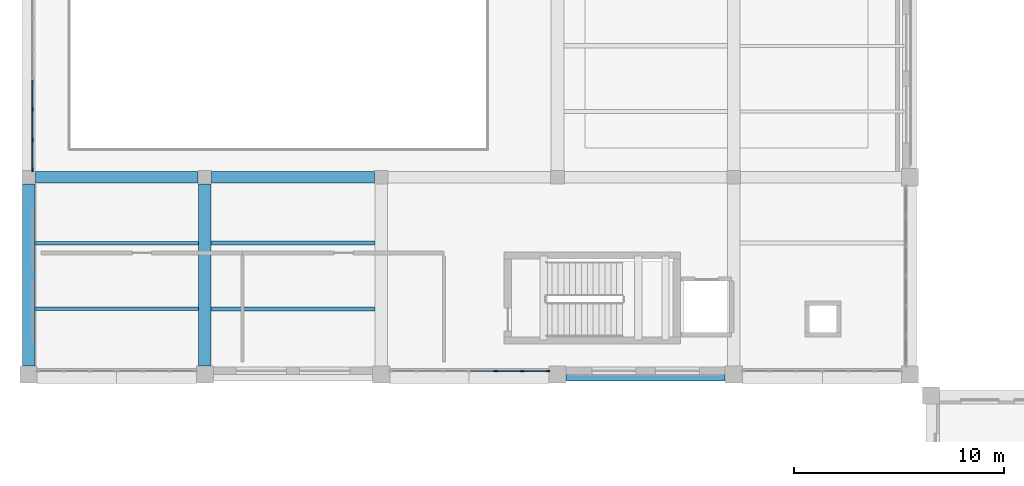
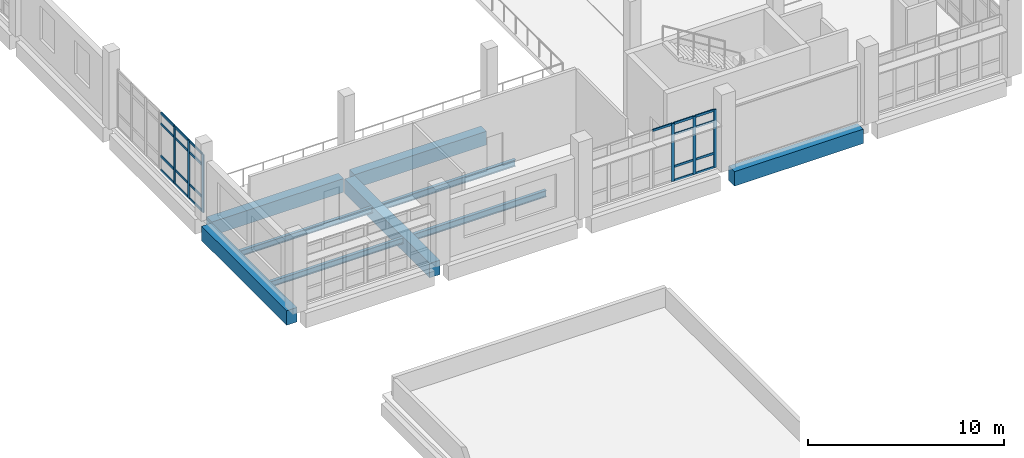
# One storey, part 15 of 73: 27 members, 9 beams, 2 elements without a shape of their own.
"""IFC4 building model written with IfcOpenShell, lengths in metres."""

from ifc_helpers import new_model, si_unit, direction, frame, origin, origin_2d, place, context, subcontext, project, spatial, rectangle, i_section, extrude, material, layer, layer_set, material_profile, profile_set, type_object, element, aggregate, save


model = new_model("IFC4")

# Units and contexts
model_context = context("Model", 3, precision=1e-05, world=origin(), true_north=direction((0.0, 1.0)))
body_context = subcontext(model_context, "Body", "Model", "MODEL_VIEW")
ifc_project = project(units=[si_unit("LENGTHUNIT", "METRE"), si_unit("AREAUNIT", "SQUARE_METRE"), si_unit("VOLUMEUNIT", "CUBIC_METRE"), si_unit("PLANEANGLEUNIT", "RADIAN"), si_unit("MASSUNIT", "GRAM", prefix="KILO")], contexts=[model_context])

# Site, building, storey
site_placement = place(None, origin())
site = spatial("IfcSite", under=ifc_project, at=site_placement, CompositionType="ELEMENT")
building_placement = place(site_placement, origin())
building = spatial("IfcBuilding", under=site, at=building_placement, Name="Kelarvand Opera House", CompositionType="ELEMENT")
storey_placement = place(building_placement, frame((0.0, 0.0, 10.199951171875)))
storey = spatial("IfcBuildingStorey", under=building, at=storey_placement, Name="L02", CompositionType="ELEMENT", Elevation=10.199951171875)

# Curtain wall, members
ifc_material_1 = material(Name="Thermally broken aluminium and low-E glazing", Category="aluminium")
ifc_layer_1 = layer(ifc_material_1, 0.179931640625, Name="Thermally broken aluminium and low-E glazing", Category="aluminium")
ifc_layer_set_1 = layer_set([ifc_layer_1], Name="Thermally broken aluminium and low-E glazing")
curtain_wall_type_1 = type_object("IfcCurtainWallType", Name="Unitised Low-E Curtain Wall 4326x3600 Mod 1350 CWF-15", PredefinedType="USERDEFINED", material=ifc_layer_set_1)
curtain_wall_1_placement = place(storey_placement, origin())
curtain_wall_1 = element("IfcCurtainWall", 1, at=curtain_wall_1_placement, inside=storey, type_object=curtain_wall_type_1, Name="V3 L02 Curtain Wall CWF-15 (77)", ObjectType="UNITISED CURTAIN WALL", PredefinedType="USERDEFINED")
ifc_material_2 = material(Name="Thermally broken anodised aluminium", Category="aluminium")
ifc_material_profile_1 = material_profile(ifc_material_2, rectangle(XDim=0.06494140625, YDim=0.179931640625, at=origin_2d()), Name="ALU MULLION 65x180", Category="aluminium")
ifc_profile_set_1 = profile_set([ifc_material_profile_1], Name="Thermally broken anodised aluminium")
member_type_1 = type_object("IfcMemberType", Name="Curtain Wall Mullion 65x180 Aluminium", PredefinedType="MULLION", material=ifc_profile_set_1)
member_1_placement = place(storey_placement, frame((9.179931640625, 96.967529296875, 0.0), z_axis=(0.0, 0.0, 1.0), x_axis=(-1.0, 0.0, 0.0)))
member_1 = element("IfcMember", 2, at=member_1_placement, type_object=member_type_1, Name="CWF-15 mullion 1", PredefinedType="MULLION", context=body_context, shape_type="SweptSolid", body=[
    extrude(rectangle(XDim=0.06494140625, YDim=0.179931640625, at=origin_2d()), origin(), (0.0, 0.0, 1.0), 3.60009765625),
])
member_2_placement = place(storey_placement, frame((9.179931640625, 98.388671875, 0.0), z_axis=(0.0, 0.0, 1.0), x_axis=(-1.0, 0.0, 0.0)))
member_2 = element("IfcMember", 3, at=member_2_placement, type_object=member_type_1, Name="CWF-15 mullion 2", PredefinedType="MULLION", context=body_context, shape_type="SweptSolid", body=[
    extrude(rectangle(XDim=0.06494140625, YDim=0.179931640625, at=origin_2d()), origin(), (0.0, 0.0, 1.0), 3.60009765625),
])
member_3_placement = place(storey_placement, frame((9.179931640625, 99.84228515625, 0.0), z_axis=(0.0, 0.0, 1.0), x_axis=(-1.0, 0.0, 0.0)))
member_3 = element("IfcMember", 4, at=member_3_placement, type_object=member_type_1, Name="CWF-15 mullion 3", PredefinedType="MULLION", context=body_context, shape_type="SweptSolid", body=[
    extrude(rectangle(XDim=0.06494140625, YDim=0.179931640625, at=origin_2d()), origin(), (0.0, 0.0, 1.0), 3.60009765625),
])

ifc_layer_2 = layer(ifc_material_1, 0.179931640625, Name="Thermally broken aluminium and low-E glazing", Category="aluminium")
ifc_layer_set_2 = layer_set([ifc_layer_2], Name="Thermally broken aluminium and low-E glazing")
curtain_wall_type_2 = type_object("IfcCurtainWallType", Name="Unitised Low-E Curtain Wall 3818x3600 Mod 1350 CWF-18", PredefinedType="USERDEFINED", material=ifc_layer_set_2)
curtain_wall_2_placement = place(storey_placement, origin())
curtain_wall_2 = element("IfcCurtainWall", 5, at=curtain_wall_2_placement, inside=storey, type_object=curtain_wall_type_2, Name="V3 L02 Curtain Wall CWF-18 (83)", ObjectType="UNITISED CURTAIN WALL", PredefinedType="USERDEFINED")
member_4_placement = place(storey_placement, frame((33.74755859375, 87.3798828125, 0.0), z_axis=(0.0, 0.0, 1.0), x_axis=(0.0, -1.0, 0.0)))
member_4 = element("IfcMember", 6, at=member_4_placement, type_object=member_type_1, Name="CWF-18 mullion 1", PredefinedType="MULLION", context=body_context, shape_type="SweptSolid", body=[
    extrude(rectangle(XDim=0.06494140625, YDim=0.179931640625, at=origin_2d()), origin(), (0.0, 0.0, 1.0), 3.60009765625),
])
member_5_placement = place(storey_placement, frame((32.521240234375, 87.3798828125, 0.0), z_axis=(0.0, 0.0, 1.0), x_axis=(0.0, -1.0, 0.0)))
member_5 = element("IfcMember", 7, at=member_5_placement, type_object=member_type_1, Name="CWF-18 mullion 2", PredefinedType="MULLION", context=body_context, shape_type="SweptSolid", body=[
    extrude(rectangle(XDim=0.06494140625, YDim=0.179931640625, at=origin_2d()), origin(), (0.0, 0.0, 1.0), 3.60009765625),
])
member_6_placement = place(storey_placement, frame((31.2626953125, 87.3798828125, 0.0), z_axis=(0.0, 0.0, 1.0), x_axis=(0.0, -1.0, 0.0)))
member_6 = element("IfcMember", 8, at=member_6_placement, type_object=member_type_1, Name="CWF-18 mullion 3", PredefinedType="MULLION", context=body_context, shape_type="SweptSolid", body=[
    extrude(rectangle(XDim=0.06494140625, YDim=0.179931640625, at=origin_2d()), origin(), (0.0, 0.0, 1.0), 3.60009765625),
])

# Member
ifc_material_profile_2 = material_profile(ifc_material_2, rectangle(XDim=0.06494140625, YDim=0.139892578125, at=origin_2d()), Name="ALU TRANSOM 65x140", Category="aluminium")
ifc_profile_set_2 = profile_set([ifc_material_profile_2], Name="Thermally broken anodised aluminium")
member_type_2 = type_object("IfcMemberType", Name="Curtain Wall Transom 65x140 Aluminium", PredefinedType="USERDEFINED", material=ifc_profile_set_2)
member_7_placement = place(storey_placement, frame((9.179931640625, 97.0, 0.032470703125), z_axis=(0.0, 1.0, 0.0), x_axis=(-1.0, 0.0, 0.0)))
member_7 = element("IfcMember", 9, at=member_7_placement, type_object=member_type_2, Name="CWF-15 transom 1.1", ObjectType="TRANSOM", PredefinedType="USERDEFINED", context=body_context, shape_type="SweptSolid", body=[
    extrude(rectangle(XDim=0.06494140625, YDim=0.139892578125, at=origin_2d()), origin(), (0.0, 0.0, 1.0), 1.356201171875),
])

member_8_placement = place(storey_placement, frame((9.179931640625, 97.0, 0.900146484375), z_axis=(0.0, 1.0, 0.0), x_axis=(-1.0, 0.0, 0.0)))
member_8 = element("IfcMember", 10, at=member_8_placement, type_object=member_type_2, Name="CWF-15 transom 1.2", ObjectType="TRANSOM", PredefinedType="USERDEFINED", context=body_context, shape_type="SweptSolid", body=[
    extrude(rectangle(XDim=0.06494140625, YDim=0.139892578125, at=origin_2d()), origin(), (0.0, 0.0, 1.0), 1.356201171875),
])

member_9_placement = place(storey_placement, frame((9.179931640625, 97.0, 2.900146484375), z_axis=(0.0, 1.0, 0.0), x_axis=(-1.0, 0.0, 0.0)))
member_9 = element("IfcMember", 11, at=member_9_placement, type_object=member_type_2, Name="CWF-15 transom 1.3", ObjectType="TRANSOM", PredefinedType="USERDEFINED", context=body_context, shape_type="SweptSolid", body=[
    extrude(rectangle(XDim=0.06494140625, YDim=0.139892578125, at=origin_2d()), origin(), (0.0, 0.0, 1.0), 1.356201171875),
])

member_10_placement = place(storey_placement, frame((9.179931640625, 97.0, 3.567626953125), z_axis=(0.0, 1.0, 0.0), x_axis=(-1.0, 0.0, 0.0)))
member_10 = element("IfcMember", 12, at=member_10_placement, type_object=member_type_2, Name="CWF-15 transom 1.4", ObjectType="TRANSOM", PredefinedType="USERDEFINED", context=body_context, shape_type="SweptSolid", body=[
    extrude(rectangle(XDim=0.06494140625, YDim=0.139892578125, at=origin_2d()), origin(), (0.0, 0.0, 1.0), 1.356201171875),
])

member_11_placement = place(storey_placement, frame((9.179931640625, 98.421142578125, 0.032470703125), z_axis=(0.0, 1.0, 0.0), x_axis=(-1.0, 0.0, 0.0)))
member_11 = element("IfcMember", 13, at=member_11_placement, type_object=member_type_2, Name="CWF-15 transom 2.1", ObjectType="TRANSOM", PredefinedType="USERDEFINED", context=body_context, shape_type="SweptSolid", body=[
    extrude(rectangle(XDim=0.06494140625, YDim=0.139892578125, at=origin_2d()), origin(), (0.0, 0.0, 1.0), 1.388671875),
])

member_12_placement = place(storey_placement, frame((9.179931640625, 98.421142578125, 0.900146484375), z_axis=(0.0, 1.0, 0.0), x_axis=(-1.0, 0.0, 0.0)))
member_12 = element("IfcMember", 14, at=member_12_placement, type_object=member_type_2, Name="CWF-15 transom 2.2", ObjectType="TRANSOM", PredefinedType="USERDEFINED", context=body_context, shape_type="SweptSolid", body=[
    extrude(rectangle(XDim=0.06494140625, YDim=0.139892578125, at=origin_2d()), origin(), (0.0, 0.0, 1.0), 1.388671875),
])

member_13_placement = place(storey_placement, frame((9.179931640625, 98.421142578125, 2.900146484375), z_axis=(0.0, 1.0, 0.0), x_axis=(-1.0, 0.0, 0.0)))
member_13 = element("IfcMember", 15, at=member_13_placement, type_object=member_type_2, Name="CWF-15 transom 2.3", ObjectType="TRANSOM", PredefinedType="USERDEFINED", context=body_context, shape_type="SweptSolid", body=[
    extrude(rectangle(XDim=0.06494140625, YDim=0.139892578125, at=origin_2d()), origin(), (0.0, 0.0, 1.0), 1.388671875),
])

member_14_placement = place(storey_placement, frame((9.179931640625, 98.421142578125, 3.567626953125), z_axis=(0.0, 1.0, 0.0), x_axis=(-1.0, 0.0, 0.0)))
member_14 = element("IfcMember", 16, at=member_14_placement, type_object=member_type_2, Name="CWF-15 transom 2.4", ObjectType="TRANSOM", PredefinedType="USERDEFINED", context=body_context, shape_type="SweptSolid", body=[
    extrude(rectangle(XDim=0.06494140625, YDim=0.139892578125, at=origin_2d()), origin(), (0.0, 0.0, 1.0), 1.388671875),
])

member_15_placement = place(storey_placement, frame((9.179931640625, 99.874755859375, 0.032470703125), z_axis=(0.0, 1.0, 0.0), x_axis=(-1.0, 0.0, 0.0)))
member_15 = element("IfcMember", 17, at=member_15_placement, type_object=member_type_2, Name="CWF-15 transom 3.1", ObjectType="TRANSOM", PredefinedType="USERDEFINED", context=body_context, shape_type="SweptSolid", body=[
    extrude(rectangle(XDim=0.06494140625, YDim=0.139892578125, at=origin_2d()), origin(), (0.0, 0.0, 1.0), 1.356201171875),
])

member_16_placement = place(storey_placement, frame((9.179931640625, 99.874755859375, 0.900146484375), z_axis=(0.0, 1.0, 0.0), x_axis=(-1.0, 0.0, 0.0)))
member_16 = element("IfcMember", 18, at=member_16_placement, type_object=member_type_2, Name="CWF-15 transom 3.2", ObjectType="TRANSOM", PredefinedType="USERDEFINED", context=body_context, shape_type="SweptSolid", body=[
    extrude(rectangle(XDim=0.06494140625, YDim=0.139892578125, at=origin_2d()), origin(), (0.0, 0.0, 1.0), 1.356201171875),
])

member_17_placement = place(storey_placement, frame((9.179931640625, 99.874755859375, 2.900146484375), z_axis=(0.0, 1.0, 0.0), x_axis=(-1.0, 0.0, 0.0)))
member_17 = element("IfcMember", 19, at=member_17_placement, type_object=member_type_2, Name="CWF-15 transom 3.3", ObjectType="TRANSOM", PredefinedType="USERDEFINED", context=body_context, shape_type="SweptSolid", body=[
    extrude(rectangle(XDim=0.06494140625, YDim=0.139892578125, at=origin_2d()), origin(), (0.0, 0.0, 1.0), 1.356201171875),
])

member_18_placement = place(storey_placement, frame((9.179931640625, 99.874755859375, 3.567626953125), z_axis=(0.0, 1.0, 0.0), x_axis=(-1.0, 0.0, 0.0)))
member_18 = element("IfcMember", 20, at=member_18_placement, type_object=member_type_2, Name="CWF-15 transom 3.4", ObjectType="TRANSOM", PredefinedType="USERDEFINED", context=body_context, shape_type="SweptSolid", body=[
    extrude(rectangle(XDim=0.06494140625, YDim=0.139892578125, at=origin_2d()), origin(), (0.0, 0.0, 1.0), 1.356201171875),
])

aggregate(curtain_wall_1, [member_1, member_2, member_3, member_7, member_8, member_9, member_10, member_11, member_12, member_13, member_14, member_15, member_16, member_17, member_18])

member_19_placement = place(storey_placement, frame((33.715087890625, 87.3798828125, 0.032470703125), z_axis=(-1.0, 0.0, 0.0), x_axis=(0.0, -1.0, 0.0)))
member_19 = element("IfcMember", 21, at=member_19_placement, type_object=member_type_2, Name="CWF-18 transom 1.1", ObjectType="TRANSOM", PredefinedType="USERDEFINED", context=body_context, shape_type="SweptSolid", body=[
    extrude(rectangle(XDim=0.06494140625, YDim=0.139892578125, at=origin_2d()), origin(), (0.0, 0.0, 1.0), 1.1611328125),
])

member_20_placement = place(storey_placement, frame((33.715087890625, 87.3798828125, 0.900146484375), z_axis=(-1.0, 0.0, 0.0), x_axis=(0.0, -1.0, 0.0)))
member_20 = element("IfcMember", 22, at=member_20_placement, type_object=member_type_2, Name="CWF-18 transom 1.2", ObjectType="TRANSOM", PredefinedType="USERDEFINED", context=body_context, shape_type="SweptSolid", body=[
    extrude(rectangle(XDim=0.06494140625, YDim=0.139892578125, at=origin_2d()), origin(), (0.0, 0.0, 1.0), 1.1611328125),
])

member_21_placement = place(storey_placement, frame((33.715087890625, 87.3798828125, 2.900146484375), z_axis=(-1.0, 0.0, 0.0), x_axis=(0.0, -1.0, 0.0)))
member_21 = element("IfcMember", 23, at=member_21_placement, type_object=member_type_2, Name="CWF-18 transom 1.3", ObjectType="TRANSOM", PredefinedType="USERDEFINED", context=body_context, shape_type="SweptSolid", body=[
    extrude(rectangle(XDim=0.06494140625, YDim=0.139892578125, at=origin_2d()), origin(), (0.0, 0.0, 1.0), 1.1611328125),
])

member_22_placement = place(storey_placement, frame((33.715087890625, 87.3798828125, 3.567626953125), z_axis=(-1.0, 0.0, 0.0), x_axis=(0.0, -1.0, 0.0)))
member_22 = element("IfcMember", 24, at=member_22_placement, type_object=member_type_2, Name="CWF-18 transom 1.4", ObjectType="TRANSOM", PredefinedType="USERDEFINED", context=body_context, shape_type="SweptSolid", body=[
    extrude(rectangle(XDim=0.06494140625, YDim=0.139892578125, at=origin_2d()), origin(), (0.0, 0.0, 1.0), 1.1611328125),
])

member_23_placement = place(storey_placement, frame((32.48876953125, 87.3798828125, 0.032470703125), z_axis=(-1.0, 0.0, 0.0), x_axis=(0.0, -1.0, 0.0)))
member_23 = element("IfcMember", 25, at=member_23_placement, type_object=member_type_2, Name="CWF-18 transom 2.1", ObjectType="TRANSOM", PredefinedType="USERDEFINED", context=body_context, shape_type="SweptSolid", body=[
    extrude(rectangle(XDim=0.06494140625, YDim=0.139892578125, at=origin_2d()), origin(), (0.0, 0.0, 1.0), 1.193603515625),
])

member_24_placement = place(storey_placement, frame((32.48876953125, 87.3798828125, 0.900146484375), z_axis=(-1.0, 0.0, 0.0), x_axis=(0.0, -1.0, 0.0)))
member_24 = element("IfcMember", 26, at=member_24_placement, type_object=member_type_2, Name="CWF-18 transom 2.2", ObjectType="TRANSOM", PredefinedType="USERDEFINED", context=body_context, shape_type="SweptSolid", body=[
    extrude(rectangle(XDim=0.06494140625, YDim=0.139892578125, at=origin_2d()), origin(), (0.0, 0.0, 1.0), 1.193603515625),
])

member_25_placement = place(storey_placement, frame((32.48876953125, 87.3798828125, 2.900146484375), z_axis=(-1.0, 0.0, 0.0), x_axis=(0.0, -1.0, 0.0)))
member_25 = element("IfcMember", 27, at=member_25_placement, type_object=member_type_2, Name="CWF-18 transom 2.3", ObjectType="TRANSOM", PredefinedType="USERDEFINED", context=body_context, shape_type="SweptSolid", body=[
    extrude(rectangle(XDim=0.06494140625, YDim=0.139892578125, at=origin_2d()), origin(), (0.0, 0.0, 1.0), 1.193603515625),
])

member_26_placement = place(storey_placement, frame((32.48876953125, 87.3798828125, 3.567626953125), z_axis=(-1.0, 0.0, 0.0), x_axis=(0.0, -1.0, 0.0)))
member_26 = element("IfcMember", 28, at=member_26_placement, type_object=member_type_2, Name="CWF-18 transom 2.4", ObjectType="TRANSOM", PredefinedType="USERDEFINED", context=body_context, shape_type="SweptSolid", body=[
    extrude(rectangle(XDim=0.06494140625, YDim=0.139892578125, at=origin_2d()), origin(), (0.0, 0.0, 1.0), 1.193603515625),
])

member_27_placement = place(storey_placement, frame((31.230224609375, 87.3798828125, 3.567626953125), z_axis=(-1.0, 0.0, 0.0), x_axis=(0.0, -1.0, 0.0)))
member_27 = element("IfcMember", 29, at=member_27_placement, type_object=member_type_2, Name="CWF-18 transom 3.4", ObjectType="TRANSOM", PredefinedType="USERDEFINED", context=body_context, shape_type="SweptSolid", body=[
    extrude(rectangle(XDim=0.06494140625, YDim=0.139892578125, at=origin_2d()), origin(), (0.0, 0.0, 1.0), 1.1611328125),
])

aggregate(curtain_wall_2, [member_4, member_5, member_6, member_19, member_20, member_21, member_22, member_23, member_24, member_25, member_26, member_27])

# Beams
ifc_material_3 = material(Name="Concrete C40/50", Category="concrete")
ifc_material_profile_3 = material_profile(ifc_material_3, rectangle(XDim=0.550048828125, YDim=0.85009765625, at=origin_2d()), Name="RC 550x850", Category="concrete")
ifc_profile_set_3 = profile_set([ifc_material_profile_3], Name="Concrete C40/50")
beam_type_1 = type_object("IfcBeamType", Name="Structural Beam RC 550x850 BM-RC550x850", PredefinedType="BEAM", material=ifc_profile_set_3)
for number, where, z_axis, x_axis, name in (
    (30, (9.324951171875, 96.60009765625, -0.724853515625), (1.0, 0.0, 0.0), (0.0, 1.0, 0.0), "V3 L02 Beam BM-RC550x850"),
    (31, (17.72509765625, 96.60009765625, -0.724853515625), (1.0, 0.0, 0.0), (0.0, 1.0, 0.0), "V3 L02 Beam BM-RC550x850"),
):
    element("IfcBeam", number, at=place(storey_placement, frame(where, z_axis=z_axis, x_axis=x_axis)), inside=storey, type_object=beam_type_1, Name=name, PredefinedType="BEAM", context=body_context, shape_type="SweptSolid", body=[
        extrude(rectangle(XDim=0.550048828125, YDim=0.85009765625, at=origin_2d()), origin(), (0.0, 0.0, 1.0), 7.75),
    ])
ifc_material_profile_4 = material_profile(ifc_material_3, rectangle(XDim=0.60009765625, YDim=0.89990234375, at=origin_2d()), Name="RC 600x900", Category="concrete")
ifc_profile_set_4 = profile_set([ifc_material_profile_4], Name="Concrete C40/50")
beam_type_2 = type_object("IfcBeamType", Name="Structural Beam RC 600x900 BM-RC600x900", PredefinedType="BEAM", material=ifc_profile_set_4)
beam_1_placement = place(storey_placement, frame((17.39990234375, 87.610107421875, -0.75), z_axis=(0.0, 1.0, 0.0), x_axis=(-1.0, 0.0, 0.0)))
element("IfcBeam", 32, at=beam_1_placement, inside=storey, type_object=beam_type_2, Name="V3 L02 Beam BM-RC600x900", PredefinedType="BEAM", context=body_context, shape_type="SweptSolid", body=[
    extrude(rectangle(XDim=0.60009765625, YDim=0.89990234375, at=origin_2d()), origin(), (0.0, 0.0, 1.0), 8.664794921875),
])
ifc_material_4 = material(Name="Steel S355", Category="steel")
ifc_material_profile_5 = material_profile(ifc_material_4, i_section(OverallWidth=0.169921875, OverallDepth=0.360107421875, WebThickness=0.008056640625, FlangeThickness=0.0126953125, at=origin_2d()), Name="IPE 360", Category="steel")
ifc_profile_set_5 = profile_set([ifc_material_profile_5], Name="Steel S355")
beam_type_3 = type_object("IfcBeamType", Name="Structural Joist IPE 360 JS-IPE360", PredefinedType="JOIST", material=ifc_profile_set_5)
for number, where, z_axis, x_axis, name in (
    (33, (9.300048828125, 90.333251953125, -0.47998046875), (1.0, 0.0, 0.0), (0.0, 1.0, 0.0), "V3 L02 Beam JS-IPE360"),
    (34, (9.300048828125, 93.466796875, -0.47998046875), (1.0, 0.0, 0.0), (0.0, 1.0, 0.0), "V3 L02 Beam JS-IPE360"),
):
    element("IfcBeam", number, at=place(storey_placement, frame(where, z_axis=z_axis, x_axis=x_axis)), inside=storey, type_object=beam_type_3, Name=name, PredefinedType="JOIST", context=body_context, shape_type="SweptSolid", body=[
        extrude(i_section(OverallWidth=0.169921875, OverallDepth=0.360107421875, WebThickness=0.008056640625, FlangeThickness=0.0126953125, at=origin_2d()), origin(), (0.0, 0.0, 1.0), 7.800048828125),
    ])
ifc_material_profile_6 = material_profile(ifc_material_4, i_section(OverallWidth=0.179931640625, OverallDepth=0.39990234375, WebThickness=0.008544921875, FlangeThickness=0.013427734375, at=origin_2d()), Name="IPE 400", Category="steel")
ifc_profile_set_6 = profile_set([ifc_material_profile_6], Name="Steel S355")
beam_type_4 = type_object("IfcBeamType", Name="Structural Joist IPE 400 JS-IPE400", PredefinedType="JOIST", material=ifc_profile_set_6)
for number, where, z_axis, x_axis, name in (
    (35, (17.699951171875, 90.333251953125, -0.5), (1.0, 0.0, 0.0), (0.0, 1.0, 0.0), "V3 L02 Beam JS-IPE400"),
    (36, (17.699951171875, 93.466796875, -0.5), (1.0, 0.0, 0.0), (0.0, 1.0, 0.0), "V3 L02 Beam JS-IPE400"),
):
    element("IfcBeam", number, at=place(storey_placement, frame(where, z_axis=z_axis, x_axis=x_axis)), inside=storey, type_object=beam_type_4, Name=name, PredefinedType="JOIST", context=body_context, shape_type="SweptSolid", body=[
        extrude(i_section(OverallWidth=0.179931640625, OverallDepth=0.39990234375, WebThickness=0.008544921875, FlangeThickness=0.013427734375, at=origin_2d()), origin(), (0.0, 0.0, 1.0), 7.800048828125),
    ])
ifc_material_profile_7 = material_profile(ifc_material_3, rectangle(XDim=0.60009765625, YDim=0.89990234375, at=origin_2d()), Name="RC 600x900", Category="concrete")
ifc_profile_set_7 = profile_set([ifc_material_profile_7], Name="Concrete C40/50")
beam_type_5 = type_object("IfcBeamType", Name="Structural Spandrel RC 600x900 SP-RC600x900E", PredefinedType="SPANDREL", material=ifc_profile_set_7)
beam_2_placement = place(storey_placement, frame((34.610107421875, 87.199951171875, -0.75), z_axis=(1.0, 0.0, 0.0), x_axis=(0.0, 1.0, 0.0)))
element("IfcBeam", 37, at=beam_2_placement, inside=storey, type_object=beam_type_5, Name="V3 L02 Beam SP-RC600x900E", PredefinedType="SPANDREL", context=body_context, shape_type="SweptSolid", body=[
    extrude(rectangle(XDim=0.60009765625, YDim=0.89990234375, at=origin_2d()), origin(), (0.0, 0.0, 1.0), 7.579833984375),
])
beam_3_placement = place(storey_placement, frame((9.0, 87.610107421875, -0.75), z_axis=(0.0, 1.0, 0.0), x_axis=(-1.0, 0.0, 0.0)))
element("IfcBeam", 38, at=beam_3_placement, inside=storey, type_object=beam_type_5, Name="V3 L02 Beam SP-RC600x900E", PredefinedType="SPANDREL", context=body_context, shape_type="SweptSolid", body=[
    extrude(rectangle(XDim=0.60009765625, YDim=0.89990234375, at=origin_2d()), origin(), (0.0, 0.0, 1.0), 8.664794921875),
])

save(model, "model.ifc")
